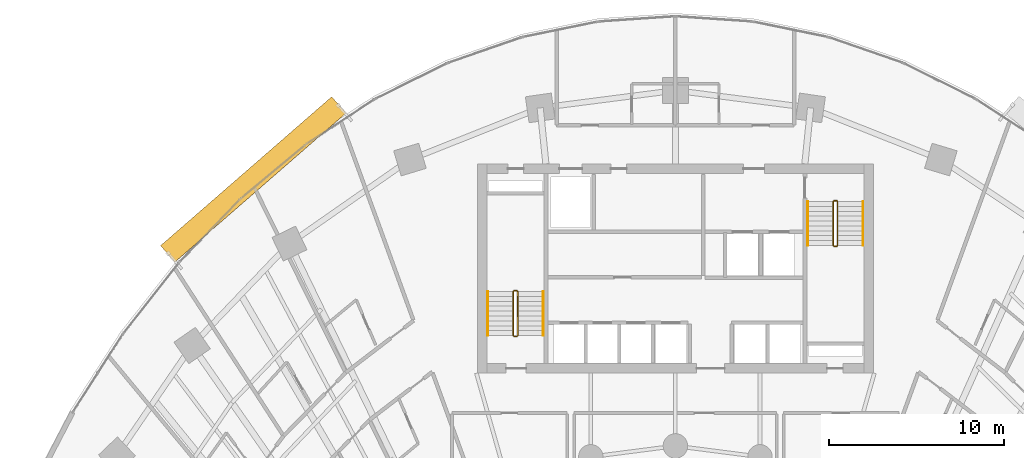
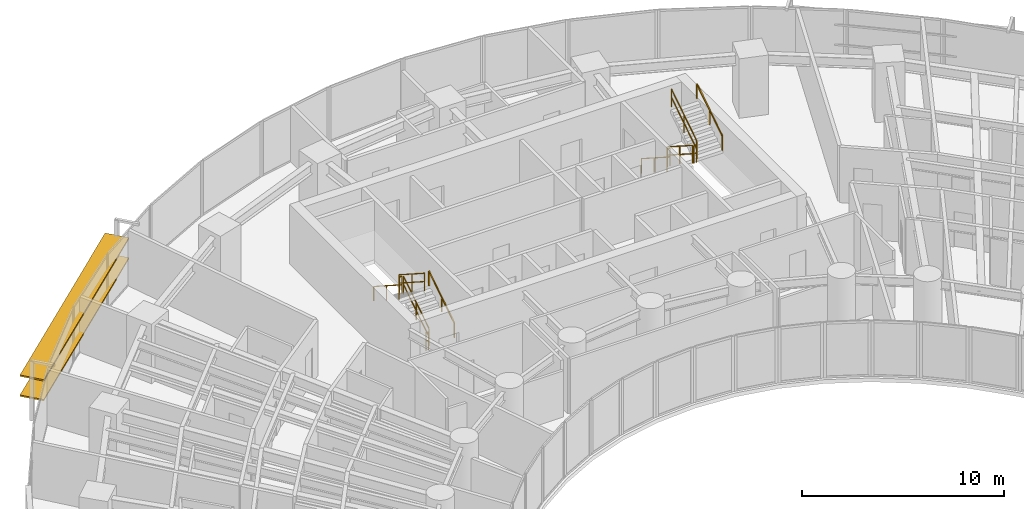
# One storey, part 17 of 18: 12 railings, 2 shading devices.
"""IFC4 building model written with IfcOpenShell, lengths in metres."""

from ifc_helpers import new_model, si_unit, direction, frame, origin, origin_2d, place, context, subcontext, project, spatial, rectangle, extrude, source, transform, mapped, material, material_profile, profile_set, type_object, type_shapes, element, save


model = new_model("IFC4")

# Units and contexts
model_context = context("Model", 3, precision=1e-05, world=origin(), true_north=direction((0.0, 1.0)))
body_context = subcontext(model_context, "Body", "Model", "MODEL_VIEW")
ifc_project = project(units=[si_unit("LENGTHUNIT", "METRE"), si_unit("AREAUNIT", "SQUARE_METRE"), si_unit("VOLUMEUNIT", "CUBIC_METRE"), si_unit("PLANEANGLEUNIT", "RADIAN"), si_unit("MASSUNIT", "GRAM", prefix="KILO")], contexts=[model_context])

# Site, building, storey
site_placement = place(None, origin())
site = spatial("IfcSite", under=ifc_project, at=site_placement, CompositionType="ELEMENT")
building_placement = place(site_placement, origin())
building = spatial("IfcBuilding", under=site, at=building_placement, Name="Breltana Convention Tower", CompositionType="ELEMENT")
storey_placement = place(building_placement, frame((0.0, 0.0, 39.0)))
storey = spatial("IfcBuildingStorey", under=building, at=storey_placement, Name="L07", CompositionType="ELEMENT", Elevation=39.0)

# Railings
ifc_material_1 = material(Name="Steel S275 Painted", Category="steel")
railing_type_1 = type_object("IfcRailingType", Name="RL-STAIR-GUARD-1100", PredefinedType="GUARDRAIL", material=ifc_material_1)
railing_1_placement = place(storey_placement, frame((38.9599609375, 62.360107421875, 0.179931640625)))
element("IfcRailing", 1, at=railing_1_placement, inside=storey, type_object=railing_type_1, Name="L07 ST-1 stair guard 1", PredefinedType="GUARDRAIL", context=body_context, shape_type="SweptSolid", body=[
    extrude(rectangle(XDim=0.048095703125, YDim=0.048095703125, at=origin_2d()), frame((0.0, 0.0, 1.076171875), z_axis=(0.0, 0.841138753965, 0.540819375188), x_axis=(-1.0, 0.0, 0.0)), (0.0, 0.0, 1.0), 2.99560546875),
    extrude(rectangle(XDim=0.048095703125, YDim=0.048095703125, at=origin_2d()), frame((0.0, 0.0, 0.572021484375), z_axis=(0.0, 0.841138753965, 0.540819375188), x_axis=(-1.0, 0.0, 0.0)), (0.0, 0.0, 1.0), 2.99560546875),
    extrude(rectangle(XDim=0.0419921875, YDim=0.0419921875, at=origin_2d()), origin(), (0.0, 0.0, 1.0), 1.052001953125),
    extrude(rectangle(XDim=0.0419921875, YDim=0.0419921875, at=origin_2d()), frame((0.0, 1.259765625, 0.81005859375)), (0.0, 0.0, 1.0), 1.052001953125),
    extrude(rectangle(XDim=0.0419921875, YDim=0.0419921875, at=origin_2d()), frame((0.0, 2.519775390625, 1.6201171875)), (0.0, 0.0, 1.0), 1.052001953125),
])
railing_2_placement = place(storey_placement, frame((38.909912109375, 64.929931640625, 1.800048828125)))
element("IfcRailing", 2, at=railing_2_placement, inside=storey, type_object=railing_type_1, Name="L07 ST-1 stair guard 2", PredefinedType="GUARDRAIL", context=body_context, shape_type="SweptSolid", body=[
    extrude(rectangle(XDim=0.048095703125, YDim=0.048095703125, at=origin_2d()), frame((0.0, 0.0, 1.076171875), z_axis=(-1.0, 0.0, 0.0), x_axis=(0.0, -1.0, 0.0)), (0.0, 0.0, 1.0), 0.14990234375),
    extrude(rectangle(XDim=0.048095703125, YDim=0.048095703125, at=origin_2d()), frame((0.0, 0.0, 0.572021484375), z_axis=(-1.0, 0.0, 0.0), x_axis=(0.0, -1.0, 0.0)), (0.0, 0.0, 1.0), 0.14990234375),
    extrude(rectangle(XDim=0.0419921875, YDim=0.0419921875, at=origin_2d()), origin(), (0.0, 0.0, 1.0), 1.052001953125),
    extrude(rectangle(XDim=0.0419921875, YDim=0.0419921875, at=origin_2d()), frame((-0.14990234375, 0.0, 0.0)), (0.0, 0.0, 1.0), 1.052001953125),
])
railing_3_placement = place(storey_placement, frame((38.7099609375, 64.8798828125, 1.97998046875)))
element("IfcRailing", 3, at=railing_3_placement, inside=storey, type_object=railing_type_1, Name="L07 ST-1 stair guard 3", PredefinedType="GUARDRAIL", context=body_context, shape_type="SweptSolid", body=[
    extrude(rectangle(XDim=0.048095703125, YDim=0.048095703125, at=origin_2d()), frame((0.0, 0.0, 1.076171875), z_axis=(0.0, -0.841138753965, 0.540819375188), x_axis=(1.0, 0.0, 0.0)), (0.0, 0.0, 1.0), 2.99560546875),
    extrude(rectangle(XDim=0.048095703125, YDim=0.048095703125, at=origin_2d()), frame((0.0, 0.0, 0.572021484375), z_axis=(0.0, -0.841138753965, 0.540819375188), x_axis=(1.0, 0.0, 0.0)), (0.0, 0.0, 1.0), 2.99560546875),
    extrude(rectangle(XDim=0.0419921875, YDim=0.0419921875, at=origin_2d()), origin(), (0.0, 0.0, 1.0), 1.052001953125),
    extrude(rectangle(XDim=0.0419921875, YDim=0.0419921875, at=origin_2d()), frame((0.0, -1.259765625, 0.81005859375)), (0.0, 0.0, 1.0), 1.052001953125),
    extrude(rectangle(XDim=0.0419921875, YDim=0.0419921875, at=origin_2d()), frame((0.0, -2.519775390625, 1.6201171875)), (0.0, 0.0, 1.0), 1.052001953125),
])
railing_4_placement = place(storey_placement, frame((38.909912109375, 62.31005859375, 0.0)))
element("IfcRailing", 4, at=railing_4_placement, inside=storey, type_object=railing_type_1, Name="L07 ST-1 stair guard 4", PredefinedType="GUARDRAIL", context=body_context, shape_type="SweptSolid", body=[
    extrude(rectangle(XDim=0.048095703125, YDim=0.048095703125, at=origin_2d()), frame((0.0, 0.0, 1.076171875), z_axis=(-1.0, 0.0, 0.0), x_axis=(0.0, -1.0, 0.0)), (0.0, 0.0, 1.0), 0.14990234375),
    extrude(rectangle(XDim=0.048095703125, YDim=0.048095703125, at=origin_2d()), frame((0.0, 0.0, 0.572021484375), z_axis=(-1.0, 0.0, 0.0), x_axis=(0.0, -1.0, 0.0)), (0.0, 0.0, 1.0), 0.14990234375),
    extrude(rectangle(XDim=0.0419921875, YDim=0.0419921875, at=origin_2d()), origin(), (0.0, 0.0, 1.0), 1.052001953125),
    extrude(rectangle(XDim=0.0419921875, YDim=0.0419921875, at=origin_2d()), frame((-0.14990234375, 0.0, 0.0)), (0.0, 0.0, 1.0), 1.052001953125),
])
railing_5_placement = place(storey_placement, frame((57.0400390625, 70.0400390625, 0.179931640625)))
element("IfcRailing", 5, at=railing_5_placement, inside=storey, type_object=railing_type_1, Name="L07 ST-2 stair guard 1", PredefinedType="GUARDRAIL", context=body_context, shape_type="SweptSolid", body=[
    extrude(rectangle(XDim=0.048095703125, YDim=0.048095703125, at=origin_2d()), frame((0.0, 0.0, 1.076171875), z_axis=(0.0, -0.841162588446, 0.540782303519), x_axis=(1.0, 0.0, 0.0)), (0.0, 0.0, 1.0), 2.995849609375),
    extrude(rectangle(XDim=0.048095703125, YDim=0.048095703125, at=origin_2d()), frame((0.0, 0.0, 0.572021484375), z_axis=(0.0, -0.841162588446, 0.540782303519), x_axis=(1.0, 0.0, 0.0)), (0.0, 0.0, 1.0), 2.995849609375),
    extrude(rectangle(XDim=0.0419921875, YDim=0.0419921875, at=origin_2d()), origin(), (0.0, 0.0, 1.0), 1.052001953125),
    extrude(rectangle(XDim=0.0419921875, YDim=0.0419921875, at=origin_2d()), frame((0.0, -1.260009765625, 0.81005859375)), (0.0, 0.0, 1.0), 1.052001953125),
    extrude(rectangle(XDim=0.0419921875, YDim=0.0419921875, at=origin_2d()), frame((0.0, -2.52001953125, 1.6201171875)), (0.0, 0.0, 1.0), 1.052001953125),
])
railing_6_placement = place(storey_placement, frame((57.090087890625, 67.469970703125, 1.800048828125)))
element("IfcRailing", 6, at=railing_6_placement, inside=storey, type_object=railing_type_1, Name="L07 ST-2 stair guard 2", PredefinedType="GUARDRAIL", context=body_context, shape_type="SweptSolid", body=[
    extrude(rectangle(XDim=0.048095703125, YDim=0.048095703125, at=origin_2d()), frame((0.0, 0.0, 1.076171875), z_axis=(1.0, 0.0, 0.0), x_axis=(0.0, 1.0, 0.0)), (0.0, 0.0, 1.0), 0.14990234375),
    extrude(rectangle(XDim=0.048095703125, YDim=0.048095703125, at=origin_2d()), frame((0.0, 0.0, 0.572021484375), z_axis=(1.0, 0.0, 0.0), x_axis=(0.0, 1.0, 0.0)), (0.0, 0.0, 1.0), 0.14990234375),
    extrude(rectangle(XDim=0.0419921875, YDim=0.0419921875, at=origin_2d()), origin(), (0.0, 0.0, 1.0), 1.052001953125),
    extrude(rectangle(XDim=0.0419921875, YDim=0.0419921875, at=origin_2d()), frame((0.14990234375, 0.0, 0.0)), (0.0, 0.0, 1.0), 1.052001953125),
])
railing_7_placement = place(storey_placement, frame((57.2900390625, 67.52001953125, 1.97998046875)))
element("IfcRailing", 7, at=railing_7_placement, inside=storey, type_object=railing_type_1, Name="L07 ST-2 stair guard 3", PredefinedType="GUARDRAIL", context=body_context, shape_type="SweptSolid", body=[
    extrude(rectangle(XDim=0.048095703125, YDim=0.048095703125, at=origin_2d()), frame((0.0, 0.0, 1.076171875), z_axis=(0.0, 0.841162588446, 0.540782303519), x_axis=(-1.0, 0.0, 0.0)), (0.0, 0.0, 1.0), 2.995849609375),
    extrude(rectangle(XDim=0.048095703125, YDim=0.048095703125, at=origin_2d()), frame((0.0, 0.0, 0.572021484375), z_axis=(0.0, 0.841162588446, 0.540782303519), x_axis=(-1.0, 0.0, 0.0)), (0.0, 0.0, 1.0), 2.995849609375),
    extrude(rectangle(XDim=0.0419921875, YDim=0.0419921875, at=origin_2d()), origin(), (0.0, 0.0, 1.0), 1.052001953125),
    extrude(rectangle(XDim=0.0419921875, YDim=0.0419921875, at=origin_2d()), frame((0.0, 1.260009765625, 0.81005859375)), (0.0, 0.0, 1.0), 1.052001953125),
    extrude(rectangle(XDim=0.0419921875, YDim=0.0419921875, at=origin_2d()), frame((0.0, 2.52001953125, 1.6201171875)), (0.0, 0.0, 1.0), 1.052001953125),
])
railing_8_placement = place(storey_placement, frame((57.090087890625, 70.090087890625, 0.0)))
element("IfcRailing", 8, at=railing_8_placement, inside=storey, type_object=railing_type_1, Name="L07 ST-2 stair guard 4", PredefinedType="GUARDRAIL", context=body_context, shape_type="SweptSolid", body=[
    extrude(rectangle(XDim=0.048095703125, YDim=0.048095703125, at=origin_2d()), frame((0.0, 0.0, 1.076171875), z_axis=(1.0, 0.0, 0.0), x_axis=(0.0, 1.0, 0.0)), (0.0, 0.0, 1.0), 0.14990234375),
    extrude(rectangle(XDim=0.048095703125, YDim=0.048095703125, at=origin_2d()), frame((0.0, 0.0, 0.572021484375), z_axis=(1.0, 0.0, 0.0), x_axis=(0.0, 1.0, 0.0)), (0.0, 0.0, 1.0), 0.14990234375),
    extrude(rectangle(XDim=0.0419921875, YDim=0.0419921875, at=origin_2d()), origin(), (0.0, 0.0, 1.0), 1.052001953125),
    extrude(rectangle(XDim=0.0419921875, YDim=0.0419921875, at=origin_2d()), frame((0.14990234375, 0.0, 0.0)), (0.0, 0.0, 1.0), 1.052001953125),
])
ifc_material_2 = material(Name="Stainless Steel 316L", Category="steel")
railing_type_2 = type_object("IfcRailingType", Name="RL-STAIR-HANDRAIL-900", PredefinedType="HANDRAIL", material=ifc_material_2)
railing_9_placement = place(storey_placement, frame((40.419921875, 62.360107421875, 0.179931640625)))
element("IfcRailing", 9, at=railing_9_placement, inside=storey, type_object=railing_type_2, Name="L07 ST-1 stair handrail 1", PredefinedType="HANDRAIL", context=body_context, shape_type="SweptSolid", body=[
    extrude(rectangle(XDim=0.048095703125, YDim=0.048095703125, at=origin_2d()), frame((0.0, 0.0, 0.8759765625), z_axis=(0.0, 0.841138753965, 0.540819375188), x_axis=(-1.0, 0.0, 0.0)), (0.0, 0.0, 1.0), 2.99560546875),
    extrude(rectangle(XDim=0.0419921875, YDim=0.0419921875, at=origin_2d()), origin(), (0.0, 0.0, 1.0), 0.851806640625),
    extrude(rectangle(XDim=0.0419921875, YDim=0.0419921875, at=origin_2d()), frame((0.0, 1.259765625, 0.81005859375)), (0.0, 0.0, 1.0), 0.851806640625),
    extrude(rectangle(XDim=0.0419921875, YDim=0.0419921875, at=origin_2d()), frame((0.0, 2.519775390625, 1.6201171875)), (0.0, 0.0, 1.0), 0.851806640625),
])
railing_10_placement = place(storey_placement, frame((37.25, 64.8798828125, 1.97998046875)))
element("IfcRailing", 10, at=railing_10_placement, inside=storey, type_object=railing_type_2, Name="L07 ST-1 stair handrail 2", PredefinedType="HANDRAIL", context=body_context, shape_type="SweptSolid", body=[
    extrude(rectangle(XDim=0.048095703125, YDim=0.048095703125, at=origin_2d()), frame((0.0, 0.0, 0.8759765625), z_axis=(0.0, -0.841138753965, 0.540819375188), x_axis=(1.0, 0.0, 0.0)), (0.0, 0.0, 1.0), 2.99560546875),
    extrude(rectangle(XDim=0.0419921875, YDim=0.0419921875, at=origin_2d()), origin(), (0.0, 0.0, 1.0), 0.851806640625),
    extrude(rectangle(XDim=0.0419921875, YDim=0.0419921875, at=origin_2d()), frame((0.0, -1.259765625, 0.81005859375)), (0.0, 0.0, 1.0), 0.851806640625),
    extrude(rectangle(XDim=0.0419921875, YDim=0.0419921875, at=origin_2d()), frame((0.0, -2.519775390625, 1.6201171875)), (0.0, 0.0, 1.0), 0.851806640625),
])
railing_11_placement = place(storey_placement, frame((55.580078125, 70.0400390625, 0.179931640625)))
element("IfcRailing", 11, at=railing_11_placement, inside=storey, type_object=railing_type_2, Name="L07 ST-2 stair handrail 1", PredefinedType="HANDRAIL", context=body_context, shape_type="SweptSolid", body=[
    extrude(rectangle(XDim=0.048095703125, YDim=0.048095703125, at=origin_2d()), frame((0.0, 0.0, 0.8759765625), z_axis=(0.0, -0.841162588446, 0.540782303519), x_axis=(1.0, 0.0, 0.0)), (0.0, 0.0, 1.0), 2.995849609375),
    extrude(rectangle(XDim=0.0419921875, YDim=0.0419921875, at=origin_2d()), origin(), (0.0, 0.0, 1.0), 0.851806640625),
    extrude(rectangle(XDim=0.0419921875, YDim=0.0419921875, at=origin_2d()), frame((0.0, -1.260009765625, 0.81005859375)), (0.0, 0.0, 1.0), 0.851806640625),
    extrude(rectangle(XDim=0.0419921875, YDim=0.0419921875, at=origin_2d()), frame((0.0, -2.52001953125, 1.6201171875)), (0.0, 0.0, 1.0), 0.851806640625),
])
railing_12_placement = place(storey_placement, frame((58.75, 67.52001953125, 1.97998046875)))
element("IfcRailing", 12, at=railing_12_placement, inside=storey, type_object=railing_type_2, Name="L07 ST-2 stair handrail 2", PredefinedType="HANDRAIL", context=body_context, shape_type="SweptSolid", body=[
    extrude(rectangle(XDim=0.048095703125, YDim=0.048095703125, at=origin_2d()), frame((0.0, 0.0, 0.8759765625), z_axis=(0.0, 0.841162588446, 0.540782303519), x_axis=(-1.0, 0.0, 0.0)), (0.0, 0.0, 1.0), 2.995849609375),
    extrude(rectangle(XDim=0.0419921875, YDim=0.0419921875, at=origin_2d()), origin(), (0.0, 0.0, 1.0), 0.851806640625),
    extrude(rectangle(XDim=0.0419921875, YDim=0.0419921875, at=origin_2d()), frame((0.0, 1.260009765625, 0.81005859375)), (0.0, 0.0, 1.0), 0.851806640625),
    extrude(rectangle(XDim=0.0419921875, YDim=0.0419921875, at=origin_2d()), frame((0.0, 2.52001953125, 1.6201171875)), (0.0, 0.0, 1.0), 0.851806640625),
])

# Shading devices
ifc_material_3 = material(Name="Limestone Warm Buff Honed", Category="masonry")
ifc_material_profile = material_profile(ifc_material_3, rectangle(XDim=1.25, YDim=0.090087890625, at=origin_2d()), Name="STN-LVR-1250X90")
ifc_profile_set = profile_set([ifc_material_profile], Name="Limestone Warm Buff Honed")
shading_device_type = type_object("IfcShadingDeviceType", Name="SHD-OUTER-SKIN-LIMESTONE-1250", PredefinedType="JALOUSIE", material=ifc_profile_set)
shared_shape = source(origin(), body_context, "Body", "SweptSolid", [
    extrude(rectangle(XDim=1.25, YDim=0.090087890625, at=origin_2d()), origin(), (0.0, 0.0, 1.0), 12.99462890625),
])
type_shapes(shading_device_type, [shared_shape])
for number, where, z_axis, x_axis, name in (
    (13, (18.9130859375, 67.039794921875, 1.209716796875), (0.754353477941, 0.656468453407, 0.0), (-0.656468453407, 0.754353477941, 0.0), "L07 outer skin warm limestone louvre 1.1"),
    (14, (18.9130859375, 67.039794921875, 2.419189453125), (0.754353477941, 0.656468453407, 0.0), (-0.656468453407, 0.754353477941, 0.0), "L07 outer skin warm limestone louvre 1.2"),
):
    element("IfcShadingDevice", number, at=place(storey_placement, frame(where, z_axis=z_axis, x_axis=x_axis)), inside=storey, type_object=shading_device_type, Name=name, PredefinedType="JALOUSIE", context=body_context, shape_type="MappedRepresentation", body=[
        mapped(shared_shape, transform((0.0, 0.0, 0.0), scale=1.0)),
    ])

save(model, "model.ifc")
